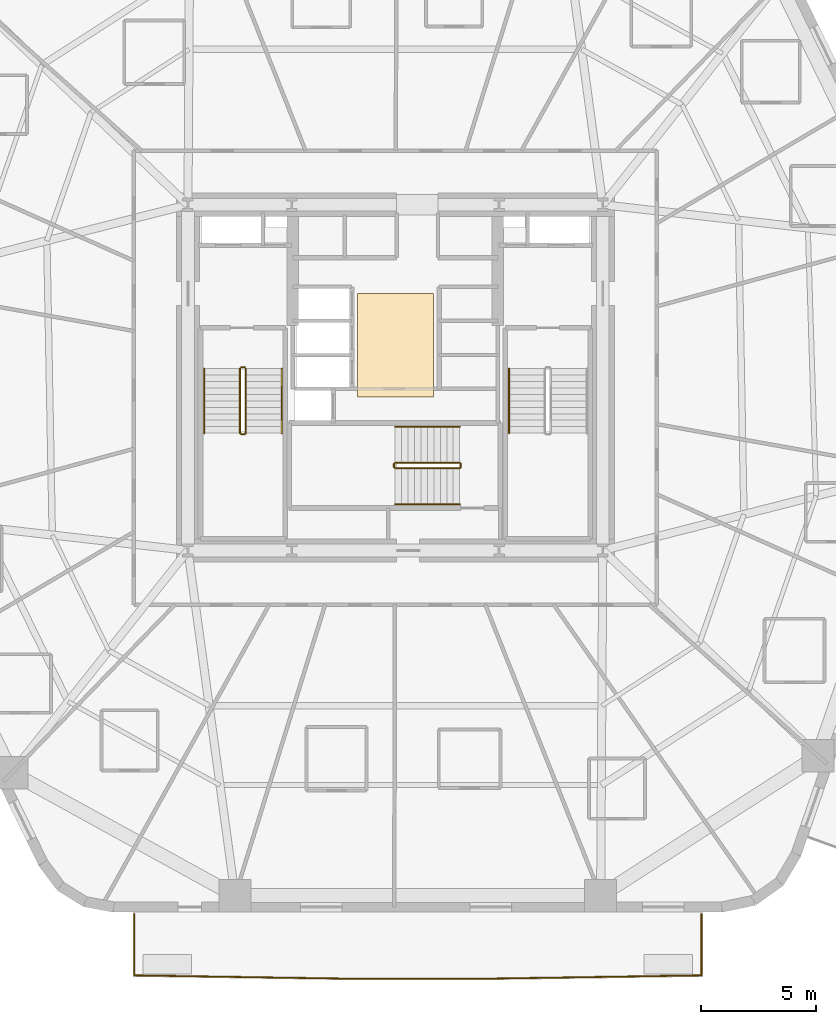
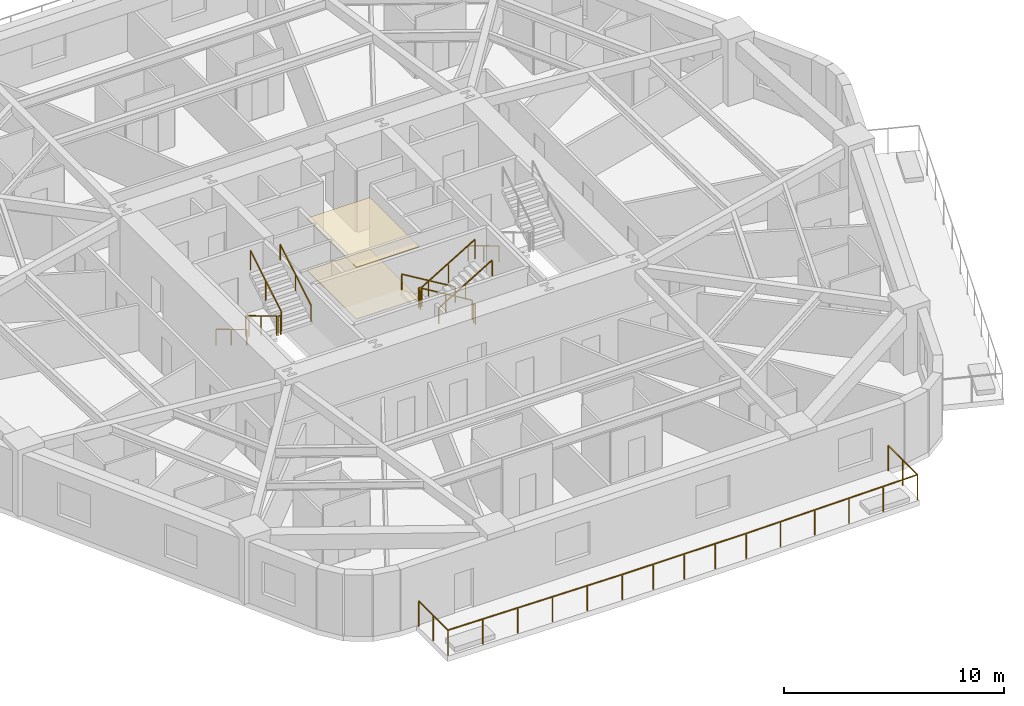
# One storey, part 9 of 11: 14 railings, 2 coverings.
"""IFC4 building model written with IfcOpenShell, lengths in metres."""

from ifc_helpers import new_model, si_unit, direction, frame, origin, origin_2d, place, context, subcontext, project, spatial, polyline, rectangle, outline, extrude, material, layer, layer_set, type_object, element, save


model = new_model("IFC4")

# Units and contexts
model_context = context("Model", 3, precision=1e-05, world=origin(), true_north=direction((0.0, 1.0)))
body_context = subcontext(model_context, "Body", "Model", "MODEL_VIEW")
ifc_project = project(units=[si_unit("LENGTHUNIT", "METRE"), si_unit("AREAUNIT", "SQUARE_METRE"), si_unit("VOLUMEUNIT", "CUBIC_METRE"), si_unit("PLANEANGLEUNIT", "RADIAN"), si_unit("MASSUNIT", "GRAM", prefix="KILO")], contexts=[model_context])

# Site, building, storey
site_placement = place(None, origin())
site = spatial("IfcSite", under=ifc_project, at=site_placement, CompositionType="ELEMENT")
building_placement = place(site_placement, origin())
building = spatial("IfcBuilding", under=site, at=building_placement, Name="Kilnhurst Terrace Hotel", CompositionType="ELEMENT")
storey_placement = place(building_placement, frame((0.0, 0.0, 41.60009765625)))
storey = spatial("IfcBuildingStorey", under=building, at=storey_placement, Name="L08", CompositionType="ELEMENT", Elevation=41.60009765625)

# Coverings
ifc_material_1 = material(Name="Perforated Micro-Acoustic Gypsum and Mineral Wool Ceiling")
ifc_layer_1 = layer(ifc_material_1, 0.050048828125, Name="Perforated Micro-Acoustic Gypsum and Mineral Wool Ceiling")
ifc_layer_set_1 = layer_set([ifc_layer_1], Name="Perforated Micro-Acoustic Gypsum and Mineral Wool Ceiling")
covering_type_1 = type_object("IfcCoveringType", Name="COV-CLG-AC60", PredefinedType="CEILING", material=ifc_layer_set_1)
covering_1_placement = place(storey_placement, frame((0.0, 0.0, 2.849853515625)))
element("IfcCovering", 1, at=covering_1_placement, inside=storey, type_object=covering_type_1, Name="L08 Lift Lobby Suspended Acoustic Ceiling", PredefinedType="CEILING", context=body_context, shape_type="SweptSolid", body=[
    extrude(outline(polyline([(-1.64990234375, -0.85009765625), (1.64990234375, -0.85009765625), (1.64990234375, 3.64990234375), (-1.64990234375, 3.64990234375), (-1.64990234375, -0.85009765625)])), origin(), (0.0, 0.0, 1.0), 0.050048828125),
])
ifc_material_2 = material(Name="Honed Texas Cream Limestone Tile Flooring", Category="masonry")
ifc_layer_2 = layer(ifc_material_2, 0.030029296875, Name="Honed Texas Cream Limestone Tile Flooring")
ifc_layer_set_2 = layer_set([ifc_layer_2], Name="Honed Texas Cream Limestone Tile Flooring")
covering_type_2 = type_object("IfcCoveringType", Name="COV-FLR-STN30", PredefinedType="FLOORING", material=ifc_layer_set_2)
covering_2_placement = place(storey_placement, origin())
element("IfcCovering", 2, at=covering_2_placement, inside=storey, type_object=covering_type_2, Name="L08 Lift Lobby Honed Limestone Flooring", PredefinedType="FLOORING", context=body_context, shape_type="SweptSolid", body=[
    extrude(outline(polyline([(-1.64990234375, -0.85009765625), (1.64990234375, -0.85009765625), (1.64990234375, 3.64990234375), (-1.64990234375, 3.64990234375), (-1.64990234375, -0.85009765625)])), origin(), (0.0, 0.0, 1.0), 0.02978515625),
])

# Railings
ifc_material_3 = material(Name="Laminated SentryGlas and Stainless Steel AISI 316L Balustrade", Category="steel")
ifc_layer_3 = layer(ifc_material_3, 0.070068359375, Name="Laminated SentryGlas and Stainless Steel AISI 316L Balustrade")
ifc_layer_set_3 = layer_set([ifc_layer_3], Name="Laminated SentryGlas and Stainless Steel AISI 316L Balustrade")
railing_type_1 = type_object("IfcRailingType", Name="RLG-BAL-1420", PredefinedType="BALUSTRADE", material=ifc_layer_set_3)
railing_1_placement = place(storey_placement, frame((13.281494140625, -23.280029296875, 0.0)))
element("IfcRailing", 3, at=railing_1_placement, inside=storey, type_object=railing_type_1, Name="L08 Exterior Terrace Guardrail BAL-L1A.1", PredefinedType="BALUSTRADE", context=body_context, shape_type="SweptSolid", body=[
    extrude(rectangle(XDim=0.048095703125, YDim=0.048095703125, at=origin_2d()), frame((0.0, 0.0, 1.39599609375), z_axis=(0.0, -1.0, 0.0), x_axis=(1.0, 0.0, 0.0)), (0.0, 0.0, 1.0), 2.660888671875),
    extrude(rectangle(XDim=0.048095703125, YDim=0.048095703125, at=origin_2d()), frame((0.0, -2.660888671875, 1.39599609375), z_axis=(-0.999881869157, -0.015370352358, 0.0), x_axis=(0.015370352358, -0.999881869157, 0.0)), (0.0, 0.0, 1.0), 9.0537109375),
    extrude(rectangle(XDim=0.048095703125, YDim=0.048095703125, at=origin_2d()), frame((-9.052734375, -2.800048828125, 1.39599609375), z_axis=(-1.0, 0.0, 0.0), x_axis=(0.0, -1.0, 0.0)), (0.0, 0.0, 1.0), 6.508056640625),
    extrude(rectangle(XDim=0.048095703125, YDim=0.048095703125, at=origin_2d()), frame((-15.560791015625, -2.800048828125, 1.39599609375), z_axis=(-0.999881869157, 0.015370352358, 0.0), x_axis=(-0.015370352358, -0.999881869157, 0.0)), (0.0, 0.0, 1.0), 9.0537109375),
    extrude(rectangle(XDim=0.048095703125, YDim=0.048095703125, at=origin_2d()), frame((-24.613525390625, -2.660888671875, 1.39599609375), z_axis=(0.0, 1.0, 0.0), x_axis=(-1.0, 0.0, 0.0)), (0.0, 0.0, 1.0), 2.660888671875),
    extrude(rectangle(XDim=0.0419921875, YDim=0.0419921875, at=origin_2d()), origin(), (0.0, 0.0, 1.0), 1.371826171875),
    extrude(rectangle(XDim=0.0419921875, YDim=0.0419921875, at=origin_2d()), frame((0.0, -1.33056640625, 0.0)), (0.0, 0.0, 1.0), 1.371826171875),
    extrude(rectangle(XDim=0.0419921875, YDim=0.0419921875, at=origin_2d()), frame((0.0, -2.660888671875, 0.0)), (0.0, 0.0, 1.0), 1.371826171875),
    extrude(rectangle(XDim=0.0419921875, YDim=0.0419921875, at=origin_2d()), frame((-1.810546875, -2.688720703125, 0.0)), (0.0, 0.0, 1.0), 1.371826171875),
    extrude(rectangle(XDim=0.0419921875, YDim=0.0419921875, at=origin_2d()), frame((-3.62109375, -2.716552734375, 0.0)), (0.0, 0.0, 1.0), 1.371826171875),
    extrude(rectangle(XDim=0.0419921875, YDim=0.0419921875, at=origin_2d()), frame((-5.431640625, -2.744384765625, 0.0)), (0.0, 0.0, 1.0), 1.371826171875),
    extrude(rectangle(XDim=0.0419921875, YDim=0.0419921875, at=origin_2d()), frame((-7.2421875, -2.772216796875, 0.0)), (0.0, 0.0, 1.0), 1.371826171875),
    extrude(rectangle(XDim=0.0419921875, YDim=0.0419921875, at=origin_2d()), frame((-9.052734375, -2.800048828125, 0.0)), (0.0, 0.0, 1.0), 1.371826171875),
    extrude(rectangle(XDim=0.0419921875, YDim=0.0419921875, at=origin_2d()), frame((-10.6796875, -2.800048828125, 0.0)), (0.0, 0.0, 1.0), 1.371826171875),
    extrude(rectangle(XDim=0.0419921875, YDim=0.0419921875, at=origin_2d()), frame((-12.306640625, -2.800048828125, 0.0)), (0.0, 0.0, 1.0), 1.371826171875),
    extrude(rectangle(XDim=0.0419921875, YDim=0.0419921875, at=origin_2d()), frame((-13.933837890625, -2.800048828125, 0.0)), (0.0, 0.0, 1.0), 1.371826171875),
    extrude(rectangle(XDim=0.0419921875, YDim=0.0419921875, at=origin_2d()), frame((-15.560791015625, -2.800048828125, 0.0)), (0.0, 0.0, 1.0), 1.371826171875),
    extrude(rectangle(XDim=0.0419921875, YDim=0.0419921875, at=origin_2d()), frame((-17.371337890625, -2.772216796875, 0.0)), (0.0, 0.0, 1.0), 1.371826171875),
    extrude(rectangle(XDim=0.0419921875, YDim=0.0419921875, at=origin_2d()), frame((-19.181884765625, -2.744384765625, 0.0)), (0.0, 0.0, 1.0), 1.371826171875),
    extrude(rectangle(XDim=0.0419921875, YDim=0.0419921875, at=origin_2d()), frame((-20.992431640625, -2.716552734375, 0.0)), (0.0, 0.0, 1.0), 1.371826171875),
    extrude(rectangle(XDim=0.0419921875, YDim=0.0419921875, at=origin_2d()), frame((-22.802978515625, -2.688720703125, 0.0)), (0.0, 0.0, 1.0), 1.371826171875),
    extrude(rectangle(XDim=0.0419921875, YDim=0.0419921875, at=origin_2d()), frame((-24.613525390625, -2.660888671875, 0.0)), (0.0, 0.0, 1.0), 1.371826171875),
    extrude(rectangle(XDim=0.0419921875, YDim=0.0419921875, at=origin_2d()), frame((-24.613525390625, -1.33056640625, 0.0)), (0.0, 0.0, 1.0), 1.371826171875),
    extrude(rectangle(XDim=0.0419921875, YDim=0.0419921875, at=origin_2d()), frame((-24.613525390625, 0.0, 0.0)), (0.0, 0.0, 1.0), 1.371826171875),
])
ifc_material_4 = material(Name="Powder-Coated Steel ASTM A500 Grade B", Category="steel")
ifc_layer_4 = layer(ifc_material_4, 0.050048828125, Name="Powder-Coated Steel ASTM A500 Grade B")
ifc_layer_set_4 = layer_set([ifc_layer_4], Name="Powder-Coated Steel ASTM A500 Grade B")
railing_type_2 = type_object("IfcRailingType", Name="RLG-ST-GRD-1100", PredefinedType="GUARDRAIL", material=ifc_layer_set_4)
railing_2_placement = place(storey_placement, frame((-6.739990234375, 0.389892578125, 0.16796875)))
element("IfcRailing", 4, at=railing_2_placement, inside=storey, type_object=railing_type_2, Name="L08 ST-1 stair guard 1", PredefinedType="GUARDRAIL", context=body_context, shape_type="SweptSolid", body=[
    extrude(rectangle(XDim=0.048095703125, YDim=0.048095703125, at=origin_2d()), frame((0.0, 0.0, 1.076171875), z_axis=(0.0, -0.857222391501, 0.514946377315), x_axis=(1.0, 0.0, 0.0)), (0.0, 0.0, 1.0), 3.26611328125),
    extrude(rectangle(XDim=0.0419921875, YDim=0.0419921875, at=origin_2d()), origin(), (0.0, 0.0, 1.0), 1.052001953125),
    extrude(rectangle(XDim=0.0419921875, YDim=0.0419921875, at=origin_2d()), frame((0.0, -1.39990234375, 0.8408203125)), (0.0, 0.0, 1.0), 1.052001953125),
    extrude(rectangle(XDim=0.0419921875, YDim=0.0419921875, at=origin_2d()), frame((0.0, -2.7998046875, 1.681884765625)), (0.0, 0.0, 1.0), 1.052001953125),
])
railing_3_placement = place(storey_placement, frame((-6.68994140625, -2.4599609375, 1.849853515625)))
element("IfcRailing", 5, at=railing_3_placement, inside=storey, type_object=railing_type_2, Name="L08 ST-1 stair guard 2", PredefinedType="GUARDRAIL", context=body_context, shape_type="SweptSolid", body=[
    extrude(rectangle(XDim=0.048095703125, YDim=0.048095703125, at=origin_2d()), frame((0.0, 0.0, 1.076171875), z_axis=(1.0, 0.0, 0.0), x_axis=(0.0, 1.0, 0.0)), (0.0, 0.0, 1.0), 0.14990234375),
    extrude(rectangle(XDim=0.0419921875, YDim=0.0419921875, at=origin_2d()), origin(), (0.0, 0.0, 1.0), 1.052001953125),
    extrude(rectangle(XDim=0.0419921875, YDim=0.0419921875, at=origin_2d()), frame((0.14990234375, 0.0, 0.0)), (0.0, 0.0, 1.0), 1.052001953125),
])
railing_4_placement = place(storey_placement, frame((-6.489990234375, -2.409912109375, 2.01806640625)))
element("IfcRailing", 6, at=railing_4_placement, inside=storey, type_object=railing_type_2, Name="L08 ST-1 stair guard 3", PredefinedType="GUARDRAIL", context=body_context, shape_type="SweptSolid", body=[
    extrude(rectangle(XDim=0.048095703125, YDim=0.048095703125, at=origin_2d()), frame((0.0, 0.0, 1.076171875), z_axis=(0.0, 0.857222391501, 0.514946377315), x_axis=(-1.0, 0.0, 0.0)), (0.0, 0.0, 1.0), 3.26611328125),
    extrude(rectangle(XDim=0.0419921875, YDim=0.0419921875, at=origin_2d()), origin(), (0.0, 0.0, 1.0), 1.052001953125),
    extrude(rectangle(XDim=0.0419921875, YDim=0.0419921875, at=origin_2d()), frame((0.0, 1.39990234375, 0.8408203125)), (0.0, 0.0, 1.0), 1.052001953125),
    extrude(rectangle(XDim=0.0419921875, YDim=0.0419921875, at=origin_2d()), frame((0.0, 2.7998046875, 1.681884765625)), (0.0, 0.0, 1.0), 1.052001953125),
])
railing_5_placement = place(storey_placement, frame((-6.68994140625, 0.43994140625, 0.0)))
element("IfcRailing", 7, at=railing_5_placement, inside=storey, type_object=railing_type_2, Name="L08 ST-1 stair guard 4", PredefinedType="GUARDRAIL", context=body_context, shape_type="SweptSolid", body=[
    extrude(rectangle(XDim=0.048095703125, YDim=0.048095703125, at=origin_2d()), frame((0.0, 0.0, 1.076171875), z_axis=(1.0, 0.0, 0.0), x_axis=(0.0, 1.0, 0.0)), (0.0, 0.0, 1.0), 0.14990234375),
    extrude(rectangle(XDim=0.0419921875, YDim=0.0419921875, at=origin_2d()), origin(), (0.0, 0.0, 1.0), 1.052001953125),
    extrude(rectangle(XDim=0.0419921875, YDim=0.0419921875, at=origin_2d()), frame((0.14990234375, 0.0, 0.0)), (0.0, 0.0, 1.0), 1.052001953125),
])
railing_6_placement = place(storey_placement, frame((2.7900390625, -3.68994140625, 0.16796875)))
element("IfcRailing", 8, at=railing_6_placement, inside=storey, type_object=railing_type_2, Name="L08 ST-3 stair guard 1", PredefinedType="GUARDRAIL", context=body_context, shape_type="SweptSolid", body=[
    extrude(rectangle(XDim=0.048095703125, YDim=0.048095703125, at=origin_2d()), frame((0.0, 0.0, 1.076171875), z_axis=(-0.857242210791, 0.0, 0.514913383045), x_axis=(0.0, -1.0, 0.0)), (0.0, 0.0, 1.0), 3.266357421875),
    extrude(rectangle(XDim=0.0419921875, YDim=0.0419921875, at=origin_2d()), origin(), (0.0, 0.0, 1.0), 1.052001953125),
    extrude(rectangle(XDim=0.0419921875, YDim=0.0419921875, at=origin_2d()), frame((-1.39990234375, 0.0, 0.8408203125)), (0.0, 0.0, 1.0), 1.052001953125),
    extrude(rectangle(XDim=0.0419921875, YDim=0.0419921875, at=origin_2d()), frame((-2.800048828125, 0.0, 1.681884765625)), (0.0, 0.0, 1.0), 1.052001953125),
])
railing_7_placement = place(storey_placement, frame((-0.06005859375, -3.739990234375, 1.849853515625)))
element("IfcRailing", 9, at=railing_7_placement, inside=storey, type_object=railing_type_2, Name="L08 ST-3 stair guard 2", PredefinedType="GUARDRAIL", context=body_context, shape_type="SweptSolid", body=[
    extrude(rectangle(XDim=0.048095703125, YDim=0.048095703125, at=origin_2d()), frame((0.0, 0.0, 1.076171875), z_axis=(0.0, -1.0, 0.0), x_axis=(1.0, 0.0, 0.0)), (0.0, 0.0, 1.0), 0.14990234375),
    extrude(rectangle(XDim=0.0419921875, YDim=0.0419921875, at=origin_2d()), origin(), (0.0, 0.0, 1.0), 1.052001953125),
    extrude(rectangle(XDim=0.0419921875, YDim=0.0419921875, at=origin_2d()), frame((0.0, -0.14990234375, 0.0)), (0.0, 0.0, 1.0), 1.052001953125),
])
railing_8_placement = place(storey_placement, frame((-0.010009765625, -3.93994140625, 2.01806640625)))
element("IfcRailing", 10, at=railing_8_placement, inside=storey, type_object=railing_type_2, Name="L08 ST-3 stair guard 3", PredefinedType="GUARDRAIL", context=body_context, shape_type="SweptSolid", body=[
    extrude(rectangle(XDim=0.048095703125, YDim=0.048095703125, at=origin_2d()), frame((0.0, 0.0, 1.076171875), z_axis=(0.857242210791, 0.0, 0.514913383045), x_axis=(0.0, 1.0, 0.0)), (0.0, 0.0, 1.0), 3.266357421875),
    extrude(rectangle(XDim=0.0419921875, YDim=0.0419921875, at=origin_2d()), origin(), (0.0, 0.0, 1.0), 1.052001953125),
    extrude(rectangle(XDim=0.0419921875, YDim=0.0419921875, at=origin_2d()), frame((1.39990234375, 0.0, 0.8408203125)), (0.0, 0.0, 1.0), 1.052001953125),
    extrude(rectangle(XDim=0.0419921875, YDim=0.0419921875, at=origin_2d()), frame((2.800048828125, 0.0, 1.681884765625)), (0.0, 0.0, 1.0), 1.052001953125),
])
railing_9_placement = place(storey_placement, frame((2.840087890625, -3.739990234375, 0.0)))
element("IfcRailing", 11, at=railing_9_placement, inside=storey, type_object=railing_type_2, Name="L08 ST-3 stair guard 4", PredefinedType="GUARDRAIL", context=body_context, shape_type="SweptSolid", body=[
    extrude(rectangle(XDim=0.048095703125, YDim=0.048095703125, at=origin_2d()), frame((0.0, 0.0, 1.076171875), z_axis=(0.0, -1.0, 0.0), x_axis=(1.0, 0.0, 0.0)), (0.0, 0.0, 1.0), 0.14990234375),
    extrude(rectangle(XDim=0.0419921875, YDim=0.0419921875, at=origin_2d()), origin(), (0.0, 0.0, 1.0), 1.052001953125),
    extrude(rectangle(XDim=0.0419921875, YDim=0.0419921875, at=origin_2d()), frame((0.0, -0.14990234375, 0.0)), (0.0, 0.0, 1.0), 1.052001953125),
])
ifc_material_5 = material(Name="Brushed Stainless Steel AISI 304", Category="steel")
ifc_layer_5 = layer(ifc_material_5, 0.048095703125, Name="Brushed Stainless Steel AISI 304")
ifc_layer_set_5 = layer_set([ifc_layer_5], Name="Brushed Stainless Steel AISI 304")
railing_type_3 = type_object("IfcRailingType", Name="RLG-ST-HRL-900", PredefinedType="HANDRAIL", material=ifc_layer_set_5)
railing_10_placement = place(storey_placement, frame((-8.300048828125, 0.389892578125, 0.16796875)))
element("IfcRailing", 12, at=railing_10_placement, inside=storey, type_object=railing_type_3, Name="L08 ST-1 stair handrail 1", PredefinedType="HANDRAIL", context=body_context, shape_type="SweptSolid", body=[
    extrude(rectangle(XDim=0.048095703125, YDim=0.048095703125, at=origin_2d()), frame((0.0, 0.0, 0.8759765625), z_axis=(0.0, -0.857222391501, 0.514946377315), x_axis=(1.0, 0.0, 0.0)), (0.0, 0.0, 1.0), 3.26611328125),
    extrude(rectangle(XDim=0.0419921875, YDim=0.0419921875, at=origin_2d()), origin(), (0.0, 0.0, 1.0), 0.851806640625),
    extrude(rectangle(XDim=0.0419921875, YDim=0.0419921875, at=origin_2d()), frame((0.0, -1.39990234375, 0.8408203125)), (0.0, 0.0, 1.0), 0.851806640625),
    extrude(rectangle(XDim=0.0419921875, YDim=0.0419921875, at=origin_2d()), frame((0.0, -2.7998046875, 1.681884765625)), (0.0, 0.0, 1.0), 0.851806640625),
])
railing_11_placement = place(storey_placement, frame((-4.929931640625, -2.409912109375, 2.01806640625)))
element("IfcRailing", 13, at=railing_11_placement, inside=storey, type_object=railing_type_3, Name="L08 ST-1 stair handrail 2", PredefinedType="HANDRAIL", context=body_context, shape_type="SweptSolid", body=[
    extrude(rectangle(XDim=0.048095703125, YDim=0.048095703125, at=origin_2d()), frame((0.0, 0.0, 0.8759765625), z_axis=(0.0, 0.857222391501, 0.514946377315), x_axis=(-1.0, 0.0, 0.0)), (0.0, 0.0, 1.0), 3.26611328125),
    extrude(rectangle(XDim=0.0419921875, YDim=0.0419921875, at=origin_2d()), origin(), (0.0, 0.0, 1.0), 0.851806640625),
    extrude(rectangle(XDim=0.0419921875, YDim=0.0419921875, at=origin_2d()), frame((0.0, 1.39990234375, 0.8408203125)), (0.0, 0.0, 1.0), 0.851806640625),
    extrude(rectangle(XDim=0.0419921875, YDim=0.0419921875, at=origin_2d()), frame((0.0, 2.7998046875, 1.681884765625)), (0.0, 0.0, 1.0), 0.851806640625),
])
railing_12_placement = place(storey_placement, frame((4.929931640625, 0.389892578125, 0.16796875)))
element("IfcRailing", 14, at=railing_12_placement, inside=storey, type_object=railing_type_3, Name="L08 ST-2 stair handrail 1", PredefinedType="HANDRAIL", context=body_context, shape_type="SweptSolid", body=[
    extrude(rectangle(XDim=0.048095703125, YDim=0.048095703125, at=origin_2d()), frame((0.0, 0.0, 0.8759765625), z_axis=(0.0, -0.857222391501, 0.514946377315), x_axis=(1.0, 0.0, 0.0)), (0.0, 0.0, 1.0), 3.26611328125),
    extrude(rectangle(XDim=0.0419921875, YDim=0.0419921875, at=origin_2d()), origin(), (0.0, 0.0, 1.0), 0.851806640625),
    extrude(rectangle(XDim=0.0419921875, YDim=0.0419921875, at=origin_2d()), frame((0.0, -1.39990234375, 0.8408203125)), (0.0, 0.0, 1.0), 0.851806640625),
    extrude(rectangle(XDim=0.0419921875, YDim=0.0419921875, at=origin_2d()), frame((0.0, -2.7998046875, 1.681884765625)), (0.0, 0.0, 1.0), 0.851806640625),
])
railing_13_placement = place(storey_placement, frame((2.7900390625, -2.1298828125, 0.16796875)))
element("IfcRailing", 15, at=railing_13_placement, inside=storey, type_object=railing_type_3, Name="L08 ST-3 stair handrail 1", PredefinedType="HANDRAIL", context=body_context, shape_type="SweptSolid", body=[
    extrude(rectangle(XDim=0.048095703125, YDim=0.048095703125, at=origin_2d()), frame((0.0, 0.0, 0.8759765625), z_axis=(-0.857242210791, 0.0, 0.514913383045), x_axis=(0.0, -1.0, 0.0)), (0.0, 0.0, 1.0), 3.266357421875),
    extrude(rectangle(XDim=0.0419921875, YDim=0.0419921875, at=origin_2d()), origin(), (0.0, 0.0, 1.0), 0.851806640625),
    extrude(rectangle(XDim=0.0419921875, YDim=0.0419921875, at=origin_2d()), frame((-1.39990234375, 0.0, 0.8408203125)), (0.0, 0.0, 1.0), 0.851806640625),
    extrude(rectangle(XDim=0.0419921875, YDim=0.0419921875, at=origin_2d()), frame((-2.800048828125, 0.0, 1.681884765625)), (0.0, 0.0, 1.0), 0.851806640625),
])
railing_14_placement = place(storey_placement, frame((-0.010009765625, -5.5, 2.01806640625)))
element("IfcRailing", 16, at=railing_14_placement, inside=storey, type_object=railing_type_3, Name="L08 ST-3 stair handrail 2", PredefinedType="HANDRAIL", context=body_context, shape_type="SweptSolid", body=[
    extrude(rectangle(XDim=0.048095703125, YDim=0.048095703125, at=origin_2d()), frame((0.0, 0.0, 0.8759765625), z_axis=(0.857242210791, 0.0, 0.514913383045), x_axis=(0.0, 1.0, 0.0)), (0.0, 0.0, 1.0), 3.266357421875),
    extrude(rectangle(XDim=0.0419921875, YDim=0.0419921875, at=origin_2d()), origin(), (0.0, 0.0, 1.0), 0.851806640625),
    extrude(rectangle(XDim=0.0419921875, YDim=0.0419921875, at=origin_2d()), frame((1.39990234375, 0.0, 0.8408203125)), (0.0, 0.0, 1.0), 0.851806640625),
    extrude(rectangle(XDim=0.0419921875, YDim=0.0419921875, at=origin_2d()), frame((2.800048828125, 0.0, 1.681884765625)), (0.0, 0.0, 1.0), 0.851806640625),
])

save(model, "model.ifc")
